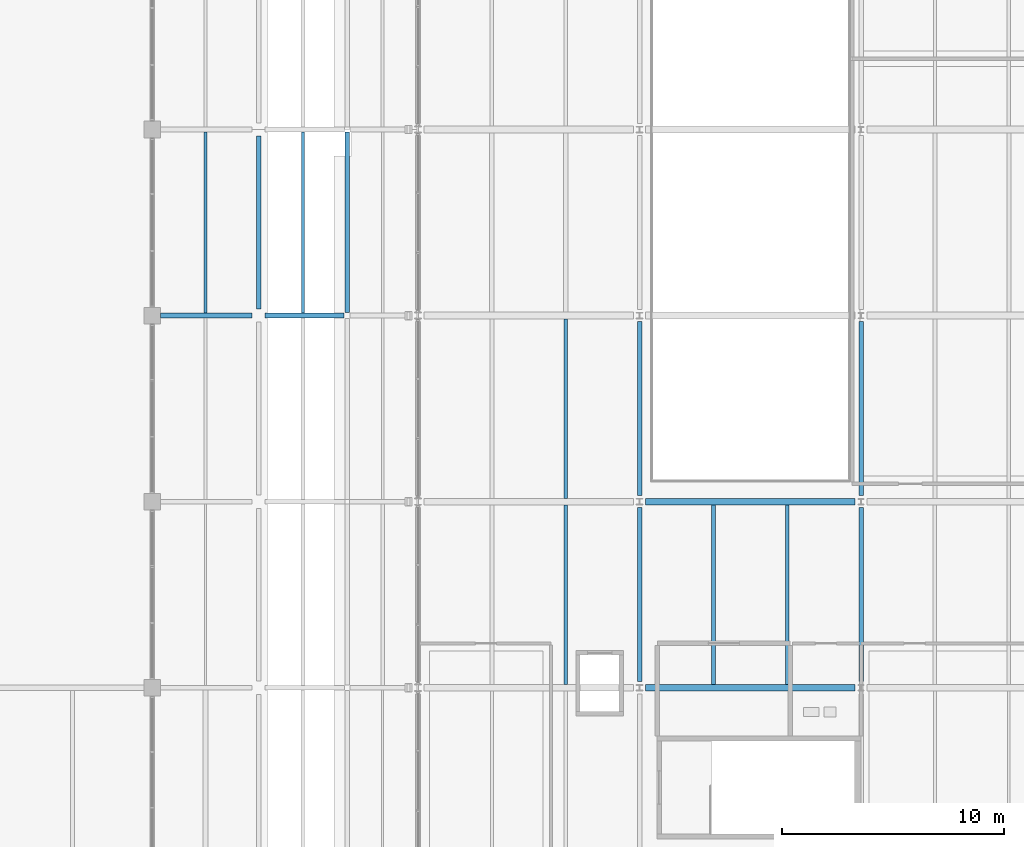
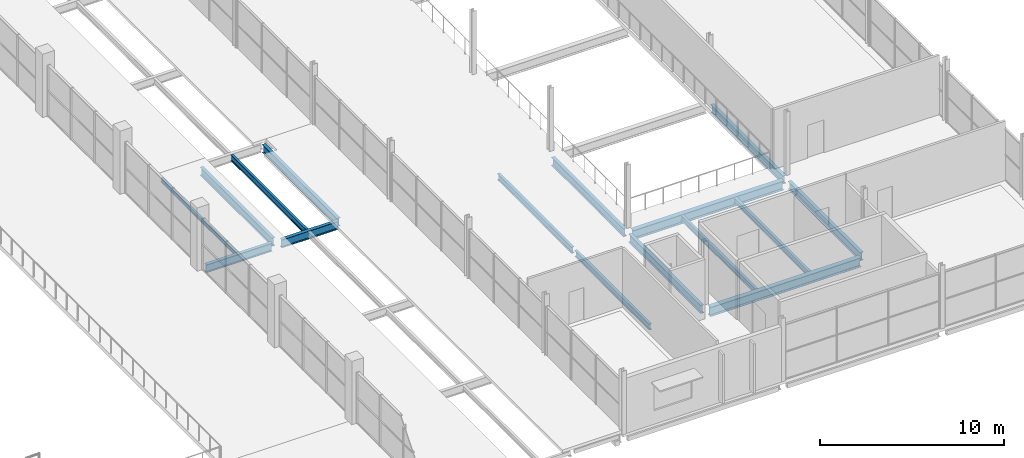
# One storey, part 98 of 161: 16 beams.
"""IFC4 building model written with IfcOpenShell, lengths in metres."""

from ifc_helpers import new_model, si_unit, direction, frame, origin, origin_2d, place, context, subcontext, project, spatial, i_section, extrude, material, material_profile, profile_set, type_object, element, save


model = new_model("IFC4")

# Units and contexts
model_context = context("Model", 3, precision=1e-05, world=origin(), true_north=direction((0.0, 1.0)))
body_context = subcontext(model_context, "Body", "Model", "MODEL_VIEW")
ifc_project = project(units=[si_unit("LENGTHUNIT", "METRE"), si_unit("AREAUNIT", "SQUARE_METRE"), si_unit("VOLUMEUNIT", "CUBIC_METRE"), si_unit("PLANEANGLEUNIT", "RADIAN"), si_unit("MASSUNIT", "GRAM", prefix="KILO"), si_unit("THERMODYNAMICTEMPERATUREUNIT", "KELVIN")], contexts=[model_context])

# Site, building, storey
site_placement = place(None, origin())
site = spatial("IfcSite", under=ifc_project, at=site_placement, CompositionType="ELEMENT")
building_placement = place(site_placement, origin())
building = spatial("IfcBuilding", under=site, at=building_placement, Name="Nduvali Passage Aquatics Centre", CompositionType="ELEMENT")
storey_placement = place(building_placement, frame((0.0, 0.0, 4.800048828125)))
storey = spatial("IfcBuildingStorey", under=building, at=storey_placement, Name="L01", CompositionType="ELEMENT", Elevation=4.800048828125)

# Beams
ifc_material = material(Name="Steel S355", Category="steel")
ifc_material_profile_1 = material_profile(ifc_material, i_section(OverallWidth=0.210693359375, OverallDepth=0.53955078125, WebThickness=0.01171875, FlangeThickness=0.018798828125, FilletRadius=0.0126953125, at=origin_2d()), Name="UKB 533x210x109")
ifc_profile_set_1 = profile_set([ifc_material_profile_1], Name="Steel S355")
beam_type_1 = type_object("IfcBeamType", Name="STR-BM-UKB533", PredefinedType="BEAM", material=ifc_profile_set_1)
beam_1_placement = place(storey_placement, frame((126.375, 50.39990234375, -0.273681640625), z_axis=(1.0, 0.0, 0.0), x_axis=(0.0, 1.0, 0.0)))
element("IfcBeam", 1, at=beam_1_placement, inside=storey, type_object=beam_type_1, Name="L01 Primary X-Girder B6-0481", PredefinedType="BEAM", context=body_context, shape_type="SweptSolid", body=[
    extrude(i_section(OverallWidth=0.210693359375, OverallDepth=0.53955078125, WebThickness=0.01171875, FlangeThickness=0.018798828125, FilletRadius=0.0126953125, at=origin_2d()), origin(), (0.0, 0.0, 1.0), 4.125),
])
beam_2_placement = place(storey_placement, frame((131.10009765625, 50.39990234375, -0.273681640625), z_axis=(1.0, 0.0, 0.0), x_axis=(0.0, 1.0, 0.0)))
element("IfcBeam", 2, at=beam_2_placement, inside=storey, type_object=beam_type_1, Name="L01 Primary X-Girder B6-0482", PredefinedType="BEAM", context=body_context, shape_type="SweptSolid", body=[
    extrude(i_section(OverallWidth=0.210693359375, OverallDepth=0.53955078125, WebThickness=0.01171875, FlangeThickness=0.018798828125, FilletRadius=0.0126953125, at=origin_2d()), origin(), (0.0, 0.0, 1.0), 3.5634765625),
])
beam_3_placement = place(storey_placement, frame((130.800048828125, 50.699951171875, -0.273681640625), z_axis=(0.0, 1.0, 0.0), x_axis=(-1.0, 0.0, 0.0)))
element("IfcBeam", 3, at=beam_3_placement, inside=storey, type_object=beam_type_1, Name="L01 Primary Y-Girder B6-0642", PredefinedType="BEAM", context=body_context, shape_type="SweptSolid", body=[
    extrude(i_section(OverallWidth=0.210693359375, OverallDepth=0.53955078125, WebThickness=0.01171875, FlangeThickness=0.018798828125, FilletRadius=0.0126953125, at=origin_2d()), origin(), (0.0, 0.0, 1.0), 7.800048828125),
])
beam_4_placement = place(storey_placement, frame((134.800048828125, 50.53662109375, -0.273681640625), z_axis=(0.0, 1.0, 0.0), x_axis=(-1.0, 0.0, 0.0)))
element("IfcBeam", 4, at=beam_4_placement, inside=storey, type_object=beam_type_1, Name="L01 Primary Y-Girder B6-0653", PredefinedType="BEAM", context=body_context, shape_type="SweptSolid", body=[
    extrude(i_section(OverallWidth=0.210693359375, OverallDepth=0.53955078125, WebThickness=0.01171875, FlangeThickness=0.018798828125, FilletRadius=0.0126953125, at=origin_2d()), origin(), (0.0, 0.0, 1.0), 8.14111328125),
])
for number, where, z_axis, x_axis, name in (
    (5, (148.0, 33.875, -0.553955078125), (0.0, 1.0, 0.0), (-1.0, 0.0, 0.0), "L01 Primary Y-Girder B6-0667"),
    (6, (148.0, 42.27490234375, -0.553955078125), (0.0, 1.0, 0.0), (-1.0, 0.0, 0.0), "L01 Primary Y-Girder B6-0668"),
    (7, (158.0, 33.875, -0.553955078125), (0.0, 1.0, 0.0), (-1.0, 0.0, 0.0), "L01 Primary Y-Girder B6-0675"),
    (8, (158.0, 42.27490234375, -0.553955078125), (0.0, 1.0, 0.0), (-1.0, 0.0, 0.0), "L01 Primary Y-Girder B6-0676"),
):
    element("IfcBeam", number, at=place(storey_placement, frame(where, z_axis=z_axis, x_axis=x_axis)), inside=storey, type_object=beam_type_1, Name=name, PredefinedType="BEAM", context=body_context, shape_type="SweptSolid", body=[
        extrude(i_section(OverallWidth=0.210693359375, OverallDepth=0.53955078125, WebThickness=0.01171875, FlangeThickness=0.018798828125, FilletRadius=0.0126953125, at=origin_2d()), origin(), (0.0, 0.0, 1.0), 7.85009765625),
    ])
ifc_material_profile_2 = material_profile(ifc_material, i_section(OverallWidth=0.3046875, OverallDepth=0.6123046875, WebThickness=0.01171875, FlangeThickness=0.019775390625, FilletRadius=0.0166015625, at=origin_2d()), Name="UKB 610x305x149")
ifc_profile_set_2 = profile_set([ifc_material_profile_2], Name="Steel S355")
beam_type_2 = type_object("IfcBeamType", Name="STR-BM-UKB610W", PredefinedType="BEAM", material=ifc_profile_set_2)
for number, where, z_axis, x_axis, name in (
    (9, (148.27490234375, 33.60009765625, -0.59033203125), (1.0, 0.0, 0.0), (0.0, 1.0, 0.0), "L01 Primary X-Girder B5A-0470"),
    (10, (148.27490234375, 42.0, -0.59033203125), (1.0, 0.0, 0.0), (0.0, 1.0, 0.0), "L01 Primary X-Girder B5A-0479"),
):
    element("IfcBeam", number, at=place(storey_placement, frame(where, z_axis=z_axis, x_axis=x_axis)), inside=storey, type_object=beam_type_2, Name=name, PredefinedType="BEAM", context=body_context, shape_type="SweptSolid", body=[
        extrude(i_section(OverallWidth=0.3046875, OverallDepth=0.6123046875, WebThickness=0.01171875, FlangeThickness=0.019775390625, FilletRadius=0.0166015625, at=origin_2d()), origin(), (0.0, 0.0, 1.0), 9.4501953125),
    ])
ifc_material_profile_3 = material_profile(ifc_material, i_section(OverallWidth=0.135009765625, OverallDepth=0.27001953125, WebThickness=0.006591796875, FlangeThickness=0.01025390625, FilletRadius=0.014892578125, at=origin_2d()), Name="IPE 270")
ifc_profile_set_3 = profile_set([ifc_material_profile_3], Name="Steel S355")
beam_type_3 = type_object("IfcBeamType", Name="STR-JST-IPE270", PredefinedType="JOIST", material=ifc_profile_set_3)
beam_5_placement = place(storey_placement, frame((128.39990234375, 50.50537109375, -0.13916015625), z_axis=(0.0, 1.0, 0.0), x_axis=(-1.0, 0.0, 0.0)))
element("IfcBeam", 11, at=beam_5_placement, inside=storey, type_object=beam_type_3, Name="L01 Secondary Joist J8-0765", PredefinedType="JOIST", context=body_context, shape_type="SweptSolid", body=[
    extrude(i_section(OverallWidth=0.135009765625, OverallDepth=0.27001953125, WebThickness=0.006591796875, FlangeThickness=0.01025390625, FilletRadius=0.014892578125, at=origin_2d()), origin(), (0.0, 0.0, 1.0), 8.189208984375),
])
ifc_material_profile_4 = material_profile(ifc_material, i_section(OverallWidth=0.179931640625, OverallDepth=0.39990234375, WebThickness=0.008544921875, FlangeThickness=0.013427734375, FilletRadius=0.02099609375, at=origin_2d()), Name="IPE 400")
ifc_profile_set_4 = profile_set([ifc_material_profile_4], Name="Steel S355")
beam_type_4 = type_object("IfcBeamType", Name="STR-JST-IPE400", PredefinedType="JOIST", material=ifc_profile_set_4)
beam_6_placement = place(storey_placement, frame((144.666748046875, 33.75244140625, -0.484130859375), z_axis=(0.0, 1.0, 0.0), x_axis=(-1.0, 0.0, 0.0)))
element("IfcBeam", 12, at=beam_6_placement, inside=storey, type_object=beam_type_4, Name="L01 Secondary Joist J5-0753", PredefinedType="JOIST", context=body_context, shape_type="SweptSolid", body=[
    extrude(i_section(OverallWidth=0.179931640625, OverallDepth=0.39990234375, WebThickness=0.008544921875, FlangeThickness=0.013427734375, FilletRadius=0.02099609375, at=origin_2d()), origin(), (0.0, 0.0, 1.0), 8.09521484375),
])
ifc_material_profile_5 = material_profile(ifc_material, i_section(OverallWidth=0.172119140625, OverallDepth=0.35791015625, WebThickness=0.008056640625, FlangeThickness=0.012939453125, FilletRadius=0.01025390625, at=origin_2d()), Name="UKB 356x171x57")
ifc_profile_set_5 = profile_set([ifc_material_profile_5], Name="Steel S355")
beam_type_5 = type_object("IfcBeamType", Name="STR-JST-UKB356", PredefinedType="JOIST", material=ifc_profile_set_5)
for number, where, z_axis, x_axis, name in (
    (13, (151.333251953125, 33.75244140625, -0.463134765625), (0.0, 1.0, 0.0), (-1.0, 0.0, 0.0), "L01 Secondary Joist J2-0754"),
    (14, (154.666748046875, 33.75244140625, -0.463134765625), (0.0, 1.0, 0.0), (-1.0, 0.0, 0.0), "L01 Secondary Joist J2-0755"),
):
    element("IfcBeam", number, at=place(storey_placement, frame(where, z_axis=z_axis, x_axis=x_axis)), inside=storey, type_object=beam_type_5, Name=name, PredefinedType="JOIST", context=body_context, shape_type="SweptSolid", body=[
        extrude(i_section(OverallWidth=0.172119140625, OverallDepth=0.35791015625, WebThickness=0.008056640625, FlangeThickness=0.012939453125, FilletRadius=0.01025390625, at=origin_2d()), origin(), (0.0, 0.0, 1.0), 8.09521484375),
    ])
ifc_material_profile_6 = material_profile(ifc_material, i_section(OverallWidth=0.1787109375, OverallDepth=0.409423828125, WebThickness=0.0087890625, FlangeThickness=0.014404296875, FilletRadius=0.01025390625, at=origin_2d()), Name="UKB 406x178x67")
ifc_profile_set_6 = profile_set([ifc_material_profile_6], Name="Steel S355")
beam_type_6 = type_object("IfcBeamType", Name="STR-JST-UKB406", PredefinedType="JOIST", material=ifc_profile_set_6)
beam_7_placement = place(storey_placement, frame((144.666748046875, 42.15234375, -0.48876953125), z_axis=(0.0, 1.0, 0.0), x_axis=(-1.0, 0.0, 0.0)))
element("IfcBeam", 15, at=beam_7_placement, inside=storey, type_object=beam_type_6, Name="L01 Secondary Joist J1-0762", PredefinedType="JOIST", context=body_context, shape_type="SweptSolid", body=[
    extrude(i_section(OverallWidth=0.1787109375, OverallDepth=0.409423828125, WebThickness=0.0087890625, FlangeThickness=0.014404296875, FilletRadius=0.01025390625, at=origin_2d()), origin(), (0.0, 0.0, 1.0), 8.09521484375),
])
ifc_material_profile_7 = material_profile(ifc_material, i_section(OverallWidth=0.14208984375, OverallDepth=0.4033203125, WebThickness=0.0068359375, FlangeThickness=0.01123046875, FilletRadius=0.01025390625, at=origin_2d()), Name="UKB 406x140x46")
ifc_profile_set_7 = profile_set([ifc_material_profile_7], Name="Steel S355")
beam_type_7 = type_object("IfcBeamType", Name="STR-JST-UKB406L", PredefinedType="JOIST", material=ifc_profile_set_7)
beam_8_placement = place(storey_placement, frame((132.800048828125, 50.50537109375, -0.20556640625), z_axis=(0.0, 1.0, 0.0), x_axis=(-1.0, 0.0, 0.0)))
element("IfcBeam", 16, at=beam_8_placement, inside=storey, type_object=beam_type_7, Name="L01 Secondary Joist J1B-0766", PredefinedType="JOIST", context=body_context, shape_type="SweptSolid", body=[
    extrude(i_section(OverallWidth=0.14208984375, OverallDepth=0.4033203125, WebThickness=0.0068359375, FlangeThickness=0.01123046875, FilletRadius=0.01025390625, at=origin_2d()), origin(), (0.0, 0.0, 1.0), 8.189208984375),
])

save(model, "model.ifc")
